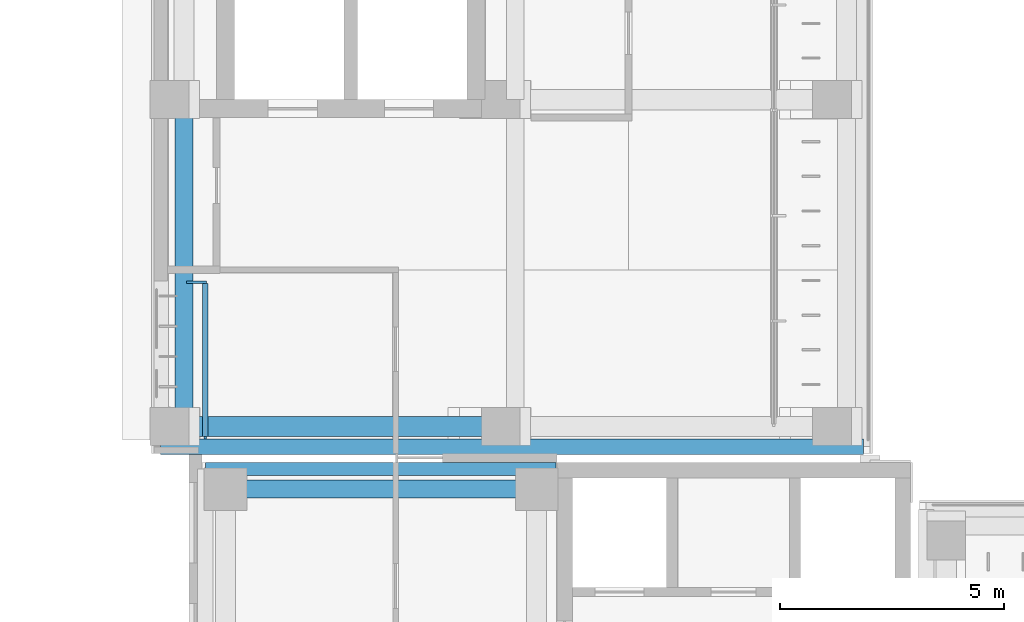
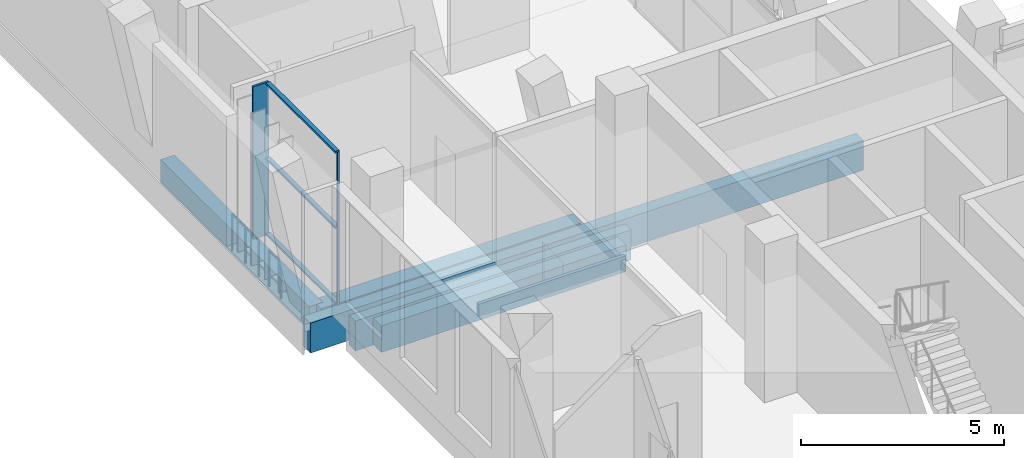
# One storey, part 19 of 92: 5 beams, 5 members, 1 element without a shape of its own.
"""IFC4 building model written with IfcOpenShell, lengths in metres."""

from ifc_helpers import new_model, si_unit, direction, frame, origin, origin_2d, place, context, subcontext, project, spatial, rectangle, extrude, material, material_profile, profile_set, type_object, element, aggregate, save


model = new_model("IFC4")

# Units and contexts
model_context = context("Model", 3, precision=1e-05, world=origin(), true_north=direction((0.0, 1.0)))
body_context = subcontext(model_context, "Body", "Model", "MODEL_VIEW")
ifc_project = project(units=[si_unit("LENGTHUNIT", "METRE"), si_unit("AREAUNIT", "SQUARE_METRE"), si_unit("VOLUMEUNIT", "CUBIC_METRE"), si_unit("PLANEANGLEUNIT", "RADIAN"), si_unit("MASSUNIT", "GRAM", prefix="KILO")], contexts=[model_context])

# Site, building, storey
site_placement = place(None, origin())
site = spatial("IfcSite", under=ifc_project, at=site_placement, CompositionType="ELEMENT")
building_placement = place(site_placement, origin())
building = spatial("IfcBuilding", under=site, at=building_placement, Name="Lantern Court Media Centre", CompositionType="ELEMENT")
storey_placement = place(building_placement, frame((0.0, 0.0, 4.800048828125)))
storey = spatial("IfcBuildingStorey", under=building, at=storey_placement, Name="L01", CompositionType="ELEMENT", Elevation=4.800048828125)

# Curtain wall, members
ifc_material_1 = material(Name="Curtain wall bay 3000")
curtain_wall_type = type_object("IfcCurtainWallType", Name="Curtain wall bay 3000", PredefinedType="NOTDEFINED", material=ifc_material_1)
curtain_wall_placement = place(storey_placement, origin())
curtain_wall = element("IfcCurtainWall", 1, at=curtain_wall_placement, inside=storey, type_object=curtain_wall_type, Name="Curtain wall W outer L01", PredefinedType="NOTDEFINED")
ifc_material_2 = material(Name="Anodised aluminium", Category="aluminium")
ifc_material_profile_1 = material_profile(ifc_material_2, rectangle(XDim=0.449951171875, YDim=0.06005859375, at=origin_2d()), Name="AL 60x450")
ifc_profile_set_1 = profile_set([ifc_material_profile_1], Name="Anodised aluminium")
member_type_1 = type_object("IfcMemberType", Name="Curtain wall mullion 60x450", PredefinedType="MULLION", material=ifc_profile_set_1)
member_1_placement = place(storey_placement, frame((7.955078125, 67.919921875, 0.0), z_axis=(0.0, 0.0, 1.0), x_axis=(-1.0, 0.0, 0.0)))
member_1 = element("IfcMember", 2, at=member_1_placement, type_object=member_type_1, Name="CW1 mullion 2", PredefinedType="MULLION", context=body_context, shape_type="SweptSolid", body=[
    extrude(rectangle(XDim=0.449951171875, YDim=0.06005859375, at=origin_2d()), origin(), (0.0, 0.0, 1.0), 4.579833984375),
])
ifc_material_profile_2 = material_profile(ifc_material_2, rectangle(XDim=0.06005859375, YDim=0.06005859375, at=origin_2d()), Name="AL 60x60")
ifc_profile_set_2 = profile_set([ifc_material_profile_2], Name="Anodised aluminium")
member_type_2 = type_object("IfcMemberType", Name="Curtain wall mullion 60x60", PredefinedType="MULLION", material=ifc_profile_set_2)
member_2_placement = place(storey_placement, frame((8.14990234375, 64.449951171875, 0.0), z_axis=(0.0, 0.0, 1.0), x_axis=(-1.0, 0.0, 0.0)))
member_2 = element("IfcMember", 3, at=member_2_placement, type_object=member_type_2, Name="CW1 mullion 1", PredefinedType="MULLION", context=body_context, shape_type="SweptSolid", body=[
    extrude(rectangle(XDim=0.06005859375, YDim=0.06005859375, at=origin_2d()), origin(), (0.0, 0.0, 1.0), 4.579833984375),
])
ifc_material_profile_3 = material_profile(ifc_material_2, rectangle(XDim=0.1201171875, YDim=0.06005859375, at=origin_2d()), Name="AL 60x120")
ifc_profile_set_3 = profile_set([ifc_material_profile_3], Name="Anodised aluminium")
member_type_3 = type_object("IfcMemberType", Name="Curtain wall transom 60x120", PredefinedType="USERDEFINED", material=ifc_profile_set_3)
member_3_placement = place(storey_placement, frame((8.14990234375, 64.47998046875, 0.030029296875), z_axis=(0.0, 1.0, 0.0), x_axis=(-1.0, 0.0, 0.0)))
member_3 = element("IfcMember", 4, at=member_3_placement, type_object=member_type_3, Name="CW1 transom 1.1", ObjectType="TRANSOM", PredefinedType="USERDEFINED", context=body_context, shape_type="SweptSolid", body=[
    extrude(rectangle(XDim=0.1201171875, YDim=0.06005859375, at=origin_2d()), origin(), (0.0, 0.0, 1.0), 3.409912109375),
])
member_4_placement = place(storey_placement, frame((8.14990234375, 64.47998046875, 2.2900390625), z_axis=(0.0, 1.0, 0.0), x_axis=(-1.0, 0.0, 0.0)))
member_4 = element("IfcMember", 5, at=member_4_placement, type_object=member_type_3, Name="CW1 transom 1.2", ObjectType="TRANSOM", PredefinedType="USERDEFINED", context=body_context, shape_type="SweptSolid", body=[
    extrude(rectangle(XDim=0.1201171875, YDim=0.06005859375, at=origin_2d()), origin(), (0.0, 0.0, 1.0), 3.409912109375),
])
member_5_placement = place(storey_placement, frame((8.14990234375, 64.47998046875, 4.550048828125), z_axis=(0.0, 1.0, 0.0), x_axis=(-1.0, 0.0, 0.0)))
member_5 = element("IfcMember", 6, at=member_5_placement, type_object=member_type_3, Name="CW1 transom 1.3", ObjectType="TRANSOM", PredefinedType="USERDEFINED", context=body_context, shape_type="SweptSolid", body=[
    extrude(rectangle(XDim=0.1201171875, YDim=0.06005859375, at=origin_2d()), origin(), (0.0, 0.0, 1.0), 3.409912109375),
])
aggregate(curtain_wall, [member_2, member_1, member_3, member_4, member_5])

# Beams
ifc_material_3 = material(Name="Concrete C35", Category="concrete")
ifc_material_profile_4 = material_profile(ifc_material_3, rectangle(XDim=0.300048828125, YDim=0.89990234375, at=origin_2d()), Name="RC 300x900")
ifc_profile_set_4 = profile_set([ifc_material_profile_4], Name="Concrete C35")
beam_type_1 = type_object("IfcBeamType", Name="RC BEAM 300x900", PredefinedType="BEAM", material=ifc_profile_set_4)
beam_1_placement = place(storey_placement, frame((8.14990234375, 63.75, -0.449951171875), z_axis=(1.0, 0.0, 0.0), x_axis=(0.0, 1.0, 0.0)))
element("IfcBeam", 7, at=beam_1_placement, inside=storey, type_object=beam_type_1, Name="EB-SW-L01-N", PredefinedType="BEAM", context=body_context, shape_type="SweptSolid", body=[
    extrude(rectangle(XDim=0.300048828125, YDim=0.89990234375, at=origin_2d()), origin(), (0.0, 0.0, 1.0), 7.830078125),
])
ifc_material_profile_5 = material_profile(ifc_material_3, rectangle(XDim=0.35009765625, YDim=0.89990234375, at=origin_2d()), Name="RC 350x900")
ifc_profile_set_5 = profile_set([ifc_material_profile_5], Name="Concrete C35")
beam_type_2 = type_object("IfcBeamType", Name="RC BEAM 350x900", PredefinedType="BEAM", material=ifc_profile_set_5)
beam_2_placement = place(storey_placement, frame((7.14990234375, 64.25, -0.449951171875), z_axis=(1.0, 0.0, 0.0), x_axis=(0.0, 1.0, 0.0)))
element("IfcBeam", 8, at=beam_2_placement, inside=storey, type_object=beam_type_2, Name="EB-W-L01-C", PredefinedType="BEAM", context=body_context, shape_type="SweptSolid", body=[
    extrude(rectangle(XDim=0.35009765625, YDim=0.89990234375, at=origin_2d()), origin(), (0.0, 0.0, 1.0), 15.7001953125),
])
ifc_material_profile_6 = material_profile(ifc_material_3, rectangle(XDim=0.39990234375, YDim=0.699951171875, at=origin_2d()), Name="RC 400x700")
ifc_profile_set_6 = profile_set([ifc_material_profile_6], Name="Concrete C35")
beam_type_3 = type_object("IfcBeamType", Name="RC BEAM 400x700", PredefinedType="BEAM", material=ifc_profile_set_6)
beam_3_placement = place(storey_placement, frame((7.6728515625, 64.699951171875, -0.35009765625), z_axis=(0.0, 1.0, 0.0), x_axis=(-1.0, 0.0, 0.0)))
element("IfcBeam", 9, at=beam_3_placement, inside=storey, type_object=beam_type_3, Name="LB-W-L01-0-0", PredefinedType="BEAM", context=body_context, shape_type="SweptSolid", body=[
    extrude(rectangle(XDim=0.39990234375, YDim=0.699951171875, at=origin_2d()), origin(), (0.0, 0.0, 1.0), 7.300048828125),
])
ifc_material_profile_7 = material_profile(ifc_material_3, rectangle(XDim=0.39990234375, YDim=0.800048828125, at=origin_2d()), Name="RC 400x800")
ifc_profile_set_7 = profile_set([ifc_material_profile_7], Name="Concrete C35")
beam_type_4 = type_object("IfcBeamType", Name="RC BEAM 400x800", PredefinedType="BEAM", material=ifc_profile_set_7)
beam_4_placement = place(storey_placement, frame((8.60009765625, 63.300048828125, -0.400146484375), z_axis=(1.0, 0.0, 0.0), x_axis=(0.0, 1.0, 0.0)))
element("IfcBeam", 10, at=beam_4_placement, inside=storey, type_object=beam_type_4, Name="BB-SW-L01-Y0-63", PredefinedType="BEAM", context=body_context, shape_type="SweptSolid", body=[
    extrude(rectangle(XDim=0.39990234375, YDim=0.800048828125, at=origin_2d()), origin(), (0.0, 0.0, 1.0), 6.949951171875),
])
ifc_material_profile_8 = material_profile(ifc_material_3, rectangle(XDim=0.449951171875, YDim=0.800048828125, at=origin_2d()), Name="RC 450x800")
ifc_profile_set_8 = profile_set([ifc_material_profile_8], Name="Concrete C35")
beam_type_5 = type_object("IfcBeamType", Name="RC BEAM 450x800", PredefinedType="BEAM", material=ifc_profile_set_8)
beam_5_placement = place(storey_placement, frame((7.683349609375, 64.699951171875, -0.400146484375), z_axis=(1.0, 0.0, 0.0), x_axis=(0.0, 1.0, 0.0)))
element("IfcBeam", 11, at=beam_5_placement, inside=storey, type_object=beam_type_5, Name="TB-W-L01-0-1", PredefinedType="BEAM", context=body_context, shape_type="SweptSolid", body=[
    extrude(rectangle(XDim=0.449951171875, YDim=0.800048828125, at=origin_2d()), origin(), (0.0, 0.0, 1.0), 7.39990234375),
])

save(model, "model.ifc")
